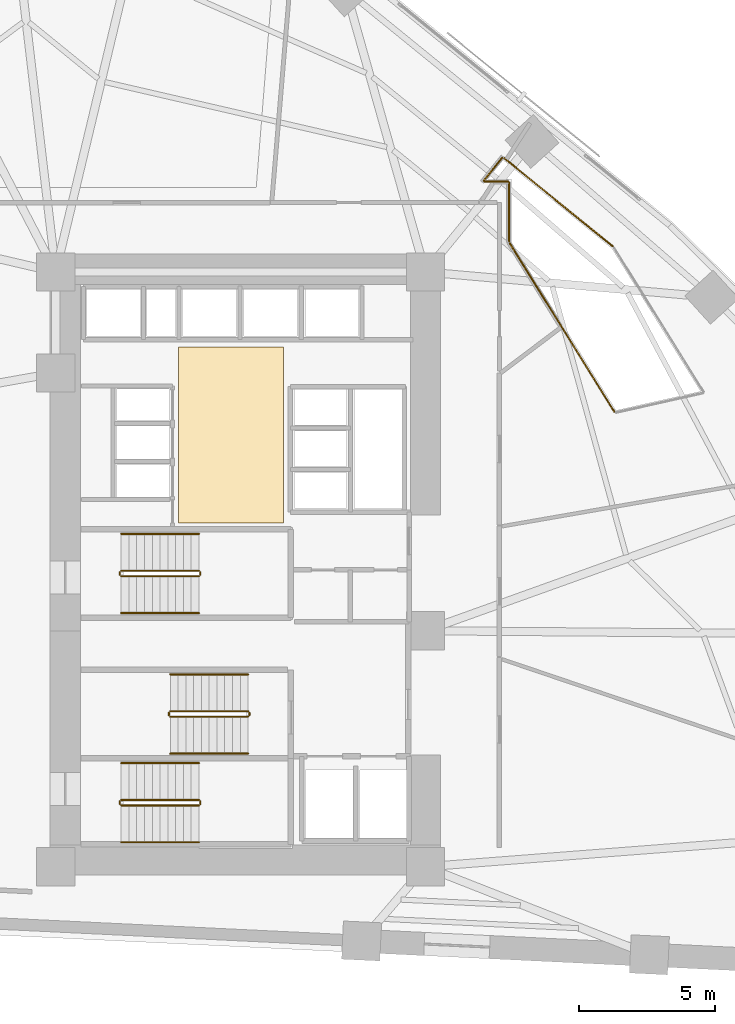
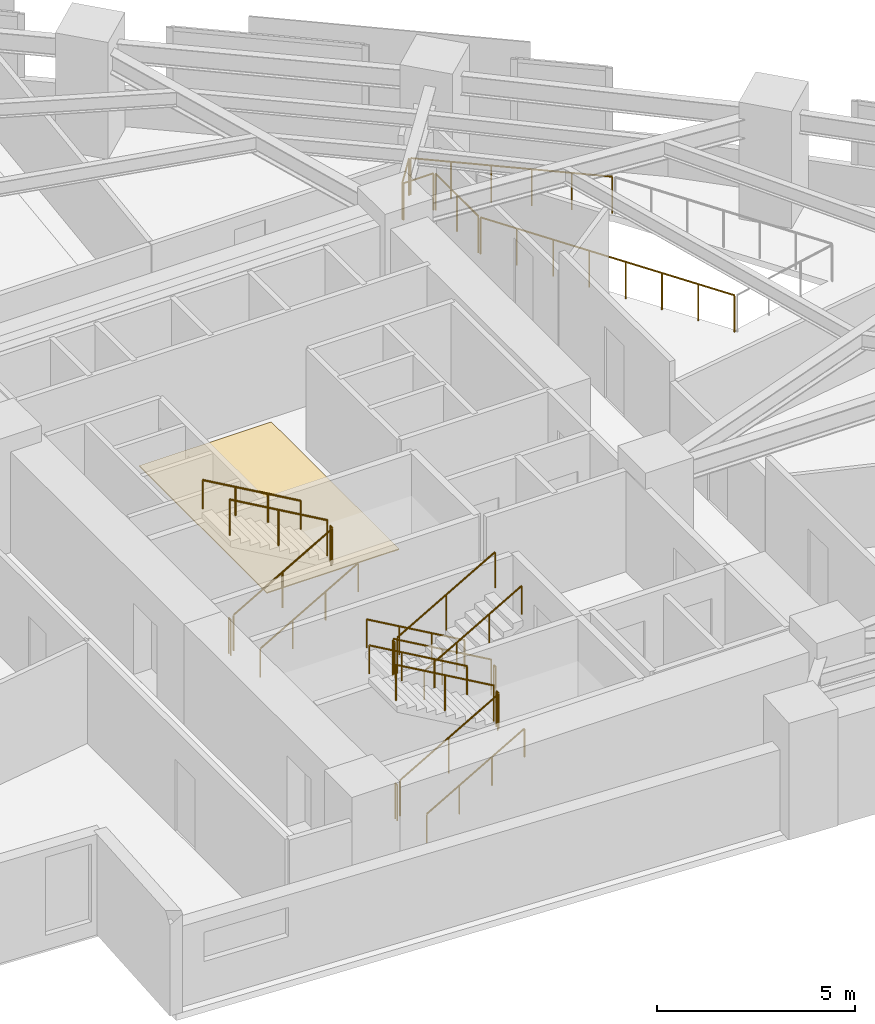
# One storey, part 16 of 17: 23 railings, 1 covering.
"""IFC4 building model written with IfcOpenShell, lengths in metres."""

from ifc_helpers import new_model, si_unit, direction, frame, origin, origin_2d, place, context, subcontext, project, spatial, polyline, circle, outline, extrude, material, layer, layer_set, type_object, element, save


model = new_model("IFC4")

# Units and contexts
model_context = context("Model", 3, precision=1e-05, world=origin(), true_north=direction((0.0, 1.0)))
body_context = subcontext(model_context, "Body", "Model", "MODEL_VIEW")
ifc_project = project(units=[si_unit("LENGTHUNIT", "METRE"), si_unit("AREAUNIT", "SQUARE_METRE"), si_unit("VOLUMEUNIT", "CUBIC_METRE"), si_unit("PLANEANGLEUNIT", "RADIAN"), si_unit("MASSUNIT", "GRAM", prefix="KILO")], contexts=[model_context])

# Site, building, storey
site_placement = place(None, origin())
site = spatial("IfcSite", under=ifc_project, at=site_placement, CompositionType="ELEMENT")
building_placement = place(site_placement, origin())
building = spatial("IfcBuilding", under=site, at=building_placement, Name="Narakoshi Arena Tower", CompositionType="ELEMENT")
storey_placement = place(building_placement, frame((0.0, 0.0, 55.5)))
storey = spatial("IfcBuildingStorey", under=building, at=storey_placement, Name="L14", CompositionType="ELEMENT", Elevation=55.5)

# Covering
ifc_material_1 = material(Name="Honed granite stone paving", Category="masonry")
ifc_layer = layer(ifc_material_1, 0.030029296875)
ifc_layer_set = layer_set([ifc_layer], Name="Honed granite stone paving")
covering_type = type_object("IfcCoveringType", Name="COV-FLR-ST30", PredefinedType="FLOORING", material=ifc_layer_set)
covering_placement = place(storey_placement, origin())
element("IfcCovering", 1, at=covering_placement, inside=storey, type_object=covering_type, Name="L14 Lift Lobby Granite Flooring", PredefinedType="FLOORING", context=body_context, shape_type="SweptSolid", body=[
    extrude(outline(polyline([(76.5, 47.300048828125), (80.35009765625, 47.300048828125), (80.35009765625, 53.75), (76.5, 53.75), (76.5, 47.300048828125)])), origin(), (0.0, 0.0, 1.0), 0.030029296875),
])

# Railings
ifc_material_2 = material(Name="Clear low-iron laminated structural glass", Category="glass")
railing_type_1 = type_object("IfcRailingType", Name="RL-BAL-1100", PredefinedType="BALUSTRADE", material=ifc_material_2)
railing_1_placement = place(storey_placement, frame((74.39990234375, 36.949951171875, 0.16357421875)))
element("IfcRailing", 2, at=railing_1_placement, inside=storey, type_object=railing_type_1, Name="L14 ST1 stair guard 1", PredefinedType="BALUSTRADE", context=body_context, shape_type="SweptSolid", body=[
    extrude(circle(Radius=0.02392578125, at=origin_2d()), frame((0.0, 0.0, 1.09619140625), z_axis=(0.86721270334, 0.0, 0.497937874806), x_axis=(0.0, 1.0, 0.0)), (0.0, 0.0, 1.0), 3.28662109375),
    extrude(circle(Radius=0.02099609375, at=origin_2d()), origin(), (0.0, 0.0, 1.0), 1.072021484375),
    extrude(circle(Radius=0.02099609375, at=origin_2d()), frame((1.425048828125, 0.0, 0.818359375)), (0.0, 0.0, 1.0), 1.072021484375),
    extrude(circle(Radius=0.02099609375, at=origin_2d()), frame((2.85009765625, 0.0, 1.636474609375)), (0.0, 0.0, 1.0), 1.072021484375),
])
railing_2_placement = place(storey_placement, frame((77.300048828125, 37.0, 1.800048828125)))
element("IfcRailing", 3, at=railing_2_placement, inside=storey, type_object=railing_type_1, Name="L14 ST1 stair guard 2", PredefinedType="BALUSTRADE", context=body_context, shape_type="SweptSolid", body=[
    extrude(circle(Radius=0.02392578125, at=origin_2d()), frame((0.0, 0.0, 1.09619140625), z_axis=(0.0, 1.0, 0.0), x_axis=(-1.0, 0.0, 0.0)), (0.0, 0.0, 1.0), 0.10009765625),
    extrude(circle(Radius=0.02099609375, at=origin_2d()), origin(), (0.0, 0.0, 1.0), 1.072021484375),
    extrude(circle(Radius=0.02099609375, at=origin_2d()), frame((0.0, 0.10009765625, 0.0)), (0.0, 0.0, 1.0), 1.072021484375),
])
railing_3_placement = place(storey_placement, frame((77.25, 37.14990234375, 1.963623046875)))
element("IfcRailing", 4, at=railing_3_placement, inside=storey, type_object=railing_type_1, Name="L14 ST1 stair guard 3", PredefinedType="BALUSTRADE", context=body_context, shape_type="SweptSolid", body=[
    extrude(circle(Radius=0.02392578125, at=origin_2d()), frame((0.0, 0.0, 1.09619140625), z_axis=(-0.86721270334, 0.0, 0.497937874806), x_axis=(0.0, -1.0, 0.0)), (0.0, 0.0, 1.0), 3.28662109375),
    extrude(circle(Radius=0.02099609375, at=origin_2d()), origin(), (0.0, 0.0, 1.0), 1.072021484375),
    extrude(circle(Radius=0.02099609375, at=origin_2d()), frame((-1.425048828125, 0.0, 0.818359375)), (0.0, 0.0, 1.0), 1.072021484375),
    extrude(circle(Radius=0.02099609375, at=origin_2d()), frame((-2.85009765625, 0.0, 1.636474609375)), (0.0, 0.0, 1.0), 1.072021484375),
])
railing_4_placement = place(storey_placement, frame((74.35009765625, 37.0, 0.0)))
element("IfcRailing", 5, at=railing_4_placement, inside=storey, type_object=railing_type_1, Name="L14 ST1 stair guard 4", PredefinedType="BALUSTRADE", context=body_context, shape_type="SweptSolid", body=[
    extrude(circle(Radius=0.02392578125, at=origin_2d()), frame((0.0, 0.0, 1.09619140625), z_axis=(0.0, 1.0, 0.0), x_axis=(-1.0, 0.0, 0.0)), (0.0, 0.0, 1.0), 0.10009765625),
    extrude(circle(Radius=0.02099609375, at=origin_2d()), origin(), (0.0, 0.0, 1.0), 1.072021484375),
    extrude(circle(Radius=0.02099609375, at=origin_2d()), frame((0.0, 0.10009765625, 0.0)), (0.0, 0.0, 1.0), 1.072021484375),
])
railing_5_placement = place(storey_placement, frame((79.050048828125, 40.39990234375, 0.16357421875)))
element("IfcRailing", 6, at=railing_5_placement, inside=storey, type_object=railing_type_1, Name="L14 ST2 stair guard 1", PredefinedType="BALUSTRADE", context=body_context, shape_type="SweptSolid", body=[
    extrude(circle(Radius=0.02392578125, at=origin_2d()), frame((0.0, 0.0, 1.09619140625), z_axis=(-0.86721270334, 0.0, 0.497937874806), x_axis=(0.0, -1.0, 0.0)), (0.0, 0.0, 1.0), 3.28662109375),
    extrude(circle(Radius=0.02099609375, at=origin_2d()), origin(), (0.0, 0.0, 1.0), 1.072021484375),
    extrude(circle(Radius=0.02099609375, at=origin_2d()), frame((-1.425048828125, 0.0, 0.818359375)), (0.0, 0.0, 1.0), 1.072021484375),
    extrude(circle(Radius=0.02099609375, at=origin_2d()), frame((-2.85009765625, 0.0, 1.636474609375)), (0.0, 0.0, 1.0), 1.072021484375),
])
railing_6_placement = place(storey_placement, frame((76.14990234375, 40.35009765625, 1.800048828125)))
element("IfcRailing", 7, at=railing_6_placement, inside=storey, type_object=railing_type_1, Name="L14 ST2 stair guard 2", PredefinedType="BALUSTRADE", context=body_context, shape_type="SweptSolid", body=[
    extrude(circle(Radius=0.02392578125, at=origin_2d()), frame((0.0, 0.0, 1.09619140625), z_axis=(0.0, -1.0, 0.0), x_axis=(1.0, 0.0, 0.0)), (0.0, 0.0, 1.0), 0.10009765625),
    extrude(circle(Radius=0.02099609375, at=origin_2d()), origin(), (0.0, 0.0, 1.0), 1.072021484375),
    extrude(circle(Radius=0.02099609375, at=origin_2d()), frame((0.0, -0.10009765625, 0.0)), (0.0, 0.0, 1.0), 1.072021484375),
])
railing_7_placement = place(storey_placement, frame((76.199951171875, 40.199951171875, 1.963623046875)))
element("IfcRailing", 8, at=railing_7_placement, inside=storey, type_object=railing_type_1, Name="L14 ST2 stair guard 3", PredefinedType="BALUSTRADE", context=body_context, shape_type="SweptSolid", body=[
    extrude(circle(Radius=0.02392578125, at=origin_2d()), frame((0.0, 0.0, 1.09619140625), z_axis=(0.86721270334, 0.0, 0.497937874806), x_axis=(0.0, 1.0, 0.0)), (0.0, 0.0, 1.0), 3.28662109375),
    extrude(circle(Radius=0.02099609375, at=origin_2d()), origin(), (0.0, 0.0, 1.0), 1.072021484375),
    extrude(circle(Radius=0.02099609375, at=origin_2d()), frame((1.425048828125, 0.0, 0.818359375)), (0.0, 0.0, 1.0), 1.072021484375),
    extrude(circle(Radius=0.02099609375, at=origin_2d()), frame((2.85009765625, 0.0, 1.636474609375)), (0.0, 0.0, 1.0), 1.072021484375),
])
railing_8_placement = place(storey_placement, frame((79.10009765625, 40.35009765625, 0.0)))
element("IfcRailing", 9, at=railing_8_placement, inside=storey, type_object=railing_type_1, Name="L14 ST2 stair guard 4", PredefinedType="BALUSTRADE", context=body_context, shape_type="SweptSolid", body=[
    extrude(circle(Radius=0.02392578125, at=origin_2d()), frame((0.0, 0.0, 1.09619140625), z_axis=(0.0, -1.0, 0.0), x_axis=(1.0, 0.0, 0.0)), (0.0, 0.0, 1.0), 0.10009765625),
    extrude(circle(Radius=0.02099609375, at=origin_2d()), origin(), (0.0, 0.0, 1.0), 1.072021484375),
    extrude(circle(Radius=0.02099609375, at=origin_2d()), frame((0.0, -0.10009765625, 0.0)), (0.0, 0.0, 1.0), 1.072021484375),
])
railing_9_placement = place(storey_placement, frame((74.39990234375, 45.35009765625, 0.16357421875)))
element("IfcRailing", 10, at=railing_9_placement, inside=storey, type_object=railing_type_1, Name="L14 ST3 stair guard 1", PredefinedType="BALUSTRADE", context=body_context, shape_type="SweptSolid", body=[
    extrude(circle(Radius=0.02392578125, at=origin_2d()), frame((0.0, 0.0, 1.09619140625), z_axis=(0.86721270334, 0.0, 0.497937874806), x_axis=(0.0, 1.0, 0.0)), (0.0, 0.0, 1.0), 3.28662109375),
    extrude(circle(Radius=0.02099609375, at=origin_2d()), origin(), (0.0, 0.0, 1.0), 1.072021484375),
    extrude(circle(Radius=0.02099609375, at=origin_2d()), frame((1.425048828125, 0.0, 0.818359375)), (0.0, 0.0, 1.0), 1.072021484375),
    extrude(circle(Radius=0.02099609375, at=origin_2d()), frame((2.85009765625, 0.0, 1.636474609375)), (0.0, 0.0, 1.0), 1.072021484375),
])
railing_10_placement = place(storey_placement, frame((77.300048828125, 45.39990234375, 1.800048828125)))
element("IfcRailing", 11, at=railing_10_placement, inside=storey, type_object=railing_type_1, Name="L14 ST3 stair guard 2", PredefinedType="BALUSTRADE", context=body_context, shape_type="SweptSolid", body=[
    extrude(circle(Radius=0.02392578125, at=origin_2d()), frame((0.0, 0.0, 1.09619140625), z_axis=(0.0, 1.0, 0.0), x_axis=(-1.0, 0.0, 0.0)), (0.0, 0.0, 1.0), 0.10009765625),
    extrude(circle(Radius=0.02099609375, at=origin_2d()), origin(), (0.0, 0.0, 1.0), 1.072021484375),
    extrude(circle(Radius=0.02099609375, at=origin_2d()), frame((0.0, 0.10009765625, 0.0)), (0.0, 0.0, 1.0), 1.072021484375),
])
railing_11_placement = place(storey_placement, frame((77.25, 45.550048828125, 1.963623046875)))
element("IfcRailing", 12, at=railing_11_placement, inside=storey, type_object=railing_type_1, Name="L14 ST3 stair guard 3", PredefinedType="BALUSTRADE", context=body_context, shape_type="SweptSolid", body=[
    extrude(circle(Radius=0.02392578125, at=origin_2d()), frame((0.0, 0.0, 1.09619140625), z_axis=(-0.86721270334, 0.0, 0.497937874806), x_axis=(0.0, -1.0, 0.0)), (0.0, 0.0, 1.0), 3.28662109375),
    extrude(circle(Radius=0.02099609375, at=origin_2d()), origin(), (0.0, 0.0, 1.0), 1.072021484375),
    extrude(circle(Radius=0.02099609375, at=origin_2d()), frame((-1.425048828125, 0.0, 0.818359375)), (0.0, 0.0, 1.0), 1.072021484375),
    extrude(circle(Radius=0.02099609375, at=origin_2d()), frame((-2.85009765625, 0.0, 1.636474609375)), (0.0, 0.0, 1.0), 1.072021484375),
])
railing_12_placement = place(storey_placement, frame((74.35009765625, 45.39990234375, 0.0)))
element("IfcRailing", 13, at=railing_12_placement, inside=storey, type_object=railing_type_1, Name="L14 ST3 stair guard 4", PredefinedType="BALUSTRADE", context=body_context, shape_type="SweptSolid", body=[
    extrude(circle(Radius=0.02392578125, at=origin_2d()), frame((0.0, 0.0, 1.09619140625), z_axis=(0.0, 1.0, 0.0), x_axis=(-1.0, 0.0, 0.0)), (0.0, 0.0, 1.0), 0.10009765625),
    extrude(circle(Radius=0.02099609375, at=origin_2d()), origin(), (0.0, 0.0, 1.0), 1.072021484375),
    extrude(circle(Radius=0.02099609375, at=origin_2d()), frame((0.0, 0.10009765625, 0.0)), (0.0, 0.0, 1.0), 1.072021484375),
])
ifc_material_3 = material(Name="Brushed bronze stainless steel", Category="steel")
railing_type_2 = type_object("IfcRailingType", Name="RL-GRD-1150", PredefinedType="GUARDRAIL", material=ifc_material_3)
railing_13_placement = place(storey_placement, frame((92.477294921875, 51.3740234375, 0.0)))
element("IfcRailing", 14, at=railing_13_placement, inside=storey, type_object=railing_type_2, Name="L14 Sky-Garden Atrium Void Guardrail 1", PredefinedType="GUARDRAIL", context=body_context, shape_type="SweptSolid", body=[
    extrude(circle(Radius=0.02392578125, at=origin_2d()), frame((0.0, 0.0, 1.1259765625), z_axis=(-0.527639514135, 0.849468388537, 0.0), x_axis=(-0.849468388537, -0.527639514135, 0.0)), (0.0, 0.0, 1.0), 7.2705078125),
    extrude(circle(Radius=0.02099609375, at=origin_2d()), origin(), (0.0, 0.0, 1.0), 1.101806640625),
    extrude(circle(Radius=0.02099609375, at=origin_2d()), frame((-0.548095703125, 0.88232421875, 0.0)), (0.0, 0.0, 1.0), 1.101806640625),
    extrude(circle(Radius=0.02099609375, at=origin_2d()), frame((-1.095947265625, 1.7646484375, 0.0)), (0.0, 0.0, 1.0), 1.101806640625),
    extrude(circle(Radius=0.02099609375, at=origin_2d()), frame((-1.64404296875, 2.64697265625, 0.0)), (0.0, 0.0, 1.0), 1.101806640625),
    extrude(circle(Radius=0.02099609375, at=origin_2d()), frame((-2.192138671875, 3.529052734375, 0.0)), (0.0, 0.0, 1.0), 1.101806640625),
    extrude(circle(Radius=0.02099609375, at=origin_2d()), frame((-2.740234375, 4.411376953125, 0.0)), (0.0, 0.0, 1.0), 1.101806640625),
    extrude(circle(Radius=0.02099609375, at=origin_2d()), frame((-3.2880859375, 5.293701171875, 0.0)), (0.0, 0.0, 1.0), 1.101806640625),
    extrude(circle(Radius=0.02099609375, at=origin_2d()), frame((-3.836181640625, 6.176025390625, 0.0)), (0.0, 0.0, 1.0), 1.101806640625),
])
railing_14_placement = place(storey_placement, frame((88.6201171875, 57.6240234375, 0.0)))
element("IfcRailing", 15, at=railing_14_placement, inside=storey, type_object=railing_type_2, Name="L14 Sky-Garden Atrium Void Guardrail 2", PredefinedType="GUARDRAIL", context=body_context, shape_type="SweptSolid", body=[
    extrude(circle(Radius=0.02392578125, at=origin_2d()), frame((0.0, 0.0, 1.1259765625), z_axis=(0.0, 1.0, 0.0), x_axis=(-1.0, 0.0, 0.0)), (0.0, 0.0, 1.0), 2.156005859375),
    extrude(circle(Radius=0.02099609375, at=origin_2d()), origin(), (0.0, 0.0, 1.0), 1.101806640625),
    extrude(circle(Radius=0.02099609375, at=origin_2d()), frame((0.0, 1.078125, 0.0)), (0.0, 0.0, 1.0), 1.101806640625),
    extrude(circle(Radius=0.02099609375, at=origin_2d()), frame((0.0, 2.156005859375, 0.0)), (0.0, 0.0, 1.0), 1.101806640625),
])
railing_15_placement = place(storey_placement, frame((88.580078125, 59.820068359375, 0.0)))
element("IfcRailing", 16, at=railing_15_placement, inside=storey, type_object=railing_type_2, Name="L14 Sky-Garden Atrium Void Guardrail 3", PredefinedType="GUARDRAIL", context=body_context, shape_type="SweptSolid", body=[
    extrude(circle(Radius=0.02392578125, at=origin_2d()), frame((0.0, 0.0, 1.1259765625), z_axis=(-1.0, 0.0, 0.0), x_axis=(0.0, -1.0, 0.0)), (0.0, 0.0, 1.0), 0.875244140625),
    extrude(circle(Radius=0.02099609375, at=origin_2d()), origin(), (0.0, 0.0, 1.0), 1.101806640625),
    extrude(circle(Radius=0.02099609375, at=origin_2d()), frame((-0.875244140625, 0.0, 0.0)), (0.0, 0.0, 1.0), 1.101806640625),
])
railing_16_placement = place(storey_placement, frame((87.68994140625, 59.85107421875, 0.0)))
element("IfcRailing", 17, at=railing_16_placement, inside=storey, type_object=railing_type_2, Name="L14 Sky-Garden Atrium Void Guardrail 4", PredefinedType="GUARDRAIL", context=body_context, shape_type="SweptSolid", body=[
    extrude(circle(Radius=0.02392578125, at=origin_2d()), frame((0.0, 0.0, 1.1259765625), z_axis=(0.628863159406, 0.77751599774, 0.0), x_axis=(-0.77751599774, 0.628863159406, 0.0)), (0.0, 0.0, 1.0), 1.069091796875),
    extrude(circle(Radius=0.02099609375, at=origin_2d()), origin(), (0.0, 0.0, 1.0), 1.101806640625),
    extrude(circle(Radius=0.02099609375, at=origin_2d()), frame((0.67236328125, 0.831298828125, 0.0)), (0.0, 0.0, 1.0), 1.101806640625),
])
railing_17_placement = place(storey_placement, frame((88.41845703125, 60.688232421875, 0.0)))
element("IfcRailing", 18, at=railing_17_placement, inside=storey, type_object=railing_type_2, Name="L14 Sky-Garden Atrium Void Guardrail 5", PredefinedType="GUARDRAIL", context=body_context, shape_type="SweptSolid", body=[
    extrude(circle(Radius=0.02392578125, at=origin_2d()), frame((0.0, 0.0, 1.1259765625), z_axis=(0.775992142354, -0.630742574276, 0.0), x_axis=(0.630742574276, 0.775992142354, 0.0)), (0.0, 0.0, 1.0), 5.1484375),
    extrude(circle(Radius=0.02099609375, at=origin_2d()), origin(), (0.0, 0.0, 1.0), 1.101806640625),
    extrude(circle(Radius=0.02099609375, at=origin_2d()), frame((0.799072265625, -0.6494140625, 0.0)), (0.0, 0.0, 1.0), 1.101806640625),
    extrude(circle(Radius=0.02099609375, at=origin_2d()), frame((1.59814453125, -1.298828125, 0.0)), (0.0, 0.0, 1.0), 1.101806640625),
    extrude(circle(Radius=0.02099609375, at=origin_2d()), frame((2.39697265625, -1.948486328125, 0.0)), (0.0, 0.0, 1.0), 1.101806640625),
    extrude(circle(Radius=0.02099609375, at=origin_2d()), frame((3.196044921875, -2.597900390625, 0.0)), (0.0, 0.0, 1.0), 1.101806640625),
    extrude(circle(Radius=0.02099609375, at=origin_2d()), frame((3.9951171875, -3.247314453125, 0.0)), (0.0, 0.0, 1.0), 1.101806640625),
])
railing_type_3 = type_object("IfcRailingType", Name="RL-HND-900", PredefinedType="HANDRAIL", material=ifc_material_3)
railing_18_placement = place(storey_placement, frame((74.39990234375, 35.60009765625, 0.16357421875)))
element("IfcRailing", 19, at=railing_18_placement, inside=storey, type_object=railing_type_3, Name="L14 ST1 stair handrail 1", PredefinedType="HANDRAIL", context=body_context, shape_type="SweptSolid", body=[
    extrude(circle(Radius=0.02392578125, at=origin_2d()), frame((0.0, 0.0, 0.8759765625), z_axis=(0.86721270334, 0.0, 0.497937874806), x_axis=(0.0, 1.0, 0.0)), (0.0, 0.0, 1.0), 3.28662109375),
    extrude(circle(Radius=0.02099609375, at=origin_2d()), origin(), (0.0, 0.0, 1.0), 0.851806640625),
    extrude(circle(Radius=0.02099609375, at=origin_2d()), frame((0.949951171875, 0.0, 0.54541015625)), (0.0, 0.0, 1.0), 0.851806640625),
    extrude(circle(Radius=0.02099609375, at=origin_2d()), frame((1.900146484375, 0.0, 1.091064453125)), (0.0, 0.0, 1.0), 0.851806640625),
    extrude(circle(Radius=0.02099609375, at=origin_2d()), frame((2.85009765625, 0.0, 1.636474609375)), (0.0, 0.0, 1.0), 0.851806640625),
])
for number, where, name in (
    (20, (77.25, 38.5, 1.963623046875), "L14 ST1 stair handrail 2"),
    (21, (79.050048828125, 41.75, 0.16357421875), "L14 ST2 stair handrail 1"),
):
    element("IfcRailing", number, at=place(storey_placement, frame(where)), inside=storey, type_object=railing_type_3, Name=name, PredefinedType="HANDRAIL", context=body_context, shape_type="SweptSolid", body=[
        extrude(circle(Radius=0.02392578125, at=origin_2d()), frame((0.0, 0.0, 0.8759765625), z_axis=(-0.86721270334, 0.0, 0.497937874806), x_axis=(0.0, -1.0, 0.0)), (0.0, 0.0, 1.0), 3.28662109375),
        extrude(circle(Radius=0.02099609375, at=origin_2d()), origin(), (0.0, 0.0, 1.0), 0.851806640625),
        extrude(circle(Radius=0.02099609375, at=origin_2d()), frame((-0.949951171875, 0.0, 0.54541015625)), (0.0, 0.0, 1.0), 0.851806640625),
        extrude(circle(Radius=0.02099609375, at=origin_2d()), frame((-1.900146484375, 0.0, 1.091064453125)), (0.0, 0.0, 1.0), 0.851806640625),
        extrude(circle(Radius=0.02099609375, at=origin_2d()), frame((-2.85009765625, 0.0, 1.636474609375)), (0.0, 0.0, 1.0), 0.851806640625),
    ])
for number, where, name in (
    (22, (76.199951171875, 38.85009765625, 1.963623046875), "L14 ST2 stair handrail 2"),
    (23, (74.39990234375, 44.0, 0.16357421875), "L14 ST3 stair handrail 1"),
):
    element("IfcRailing", number, at=place(storey_placement, frame(where)), inside=storey, type_object=railing_type_3, Name=name, PredefinedType="HANDRAIL", context=body_context, shape_type="SweptSolid", body=[
        extrude(circle(Radius=0.02392578125, at=origin_2d()), frame((0.0, 0.0, 0.8759765625), z_axis=(0.86721270334, 0.0, 0.497937874806), x_axis=(0.0, 1.0, 0.0)), (0.0, 0.0, 1.0), 3.28662109375),
        extrude(circle(Radius=0.02099609375, at=origin_2d()), origin(), (0.0, 0.0, 1.0), 0.851806640625),
        extrude(circle(Radius=0.02099609375, at=origin_2d()), frame((0.949951171875, 0.0, 0.54541015625)), (0.0, 0.0, 1.0), 0.851806640625),
        extrude(circle(Radius=0.02099609375, at=origin_2d()), frame((1.900146484375, 0.0, 1.091064453125)), (0.0, 0.0, 1.0), 0.851806640625),
        extrude(circle(Radius=0.02099609375, at=origin_2d()), frame((2.85009765625, 0.0, 1.636474609375)), (0.0, 0.0, 1.0), 0.851806640625),
    ])
railing_19_placement = place(storey_placement, frame((77.25, 46.89990234375, 1.963623046875)))
element("IfcRailing", 24, at=railing_19_placement, inside=storey, type_object=railing_type_3, Name="L14 ST3 stair handrail 2", PredefinedType="HANDRAIL", context=body_context, shape_type="SweptSolid", body=[
    extrude(circle(Radius=0.02392578125, at=origin_2d()), frame((0.0, 0.0, 0.8759765625), z_axis=(-0.86721270334, 0.0, 0.497937874806), x_axis=(0.0, -1.0, 0.0)), (0.0, 0.0, 1.0), 3.28662109375),
    extrude(circle(Radius=0.02099609375, at=origin_2d()), origin(), (0.0, 0.0, 1.0), 0.851806640625),
    extrude(circle(Radius=0.02099609375, at=origin_2d()), frame((-0.949951171875, 0.0, 0.54541015625)), (0.0, 0.0, 1.0), 0.851806640625),
    extrude(circle(Radius=0.02099609375, at=origin_2d()), frame((-1.900146484375, 0.0, 1.091064453125)), (0.0, 0.0, 1.0), 0.851806640625),
    extrude(circle(Radius=0.02099609375, at=origin_2d()), frame((-2.85009765625, 0.0, 1.636474609375)), (0.0, 0.0, 1.0), 0.851806640625),
])

save(model, "model.ifc")
